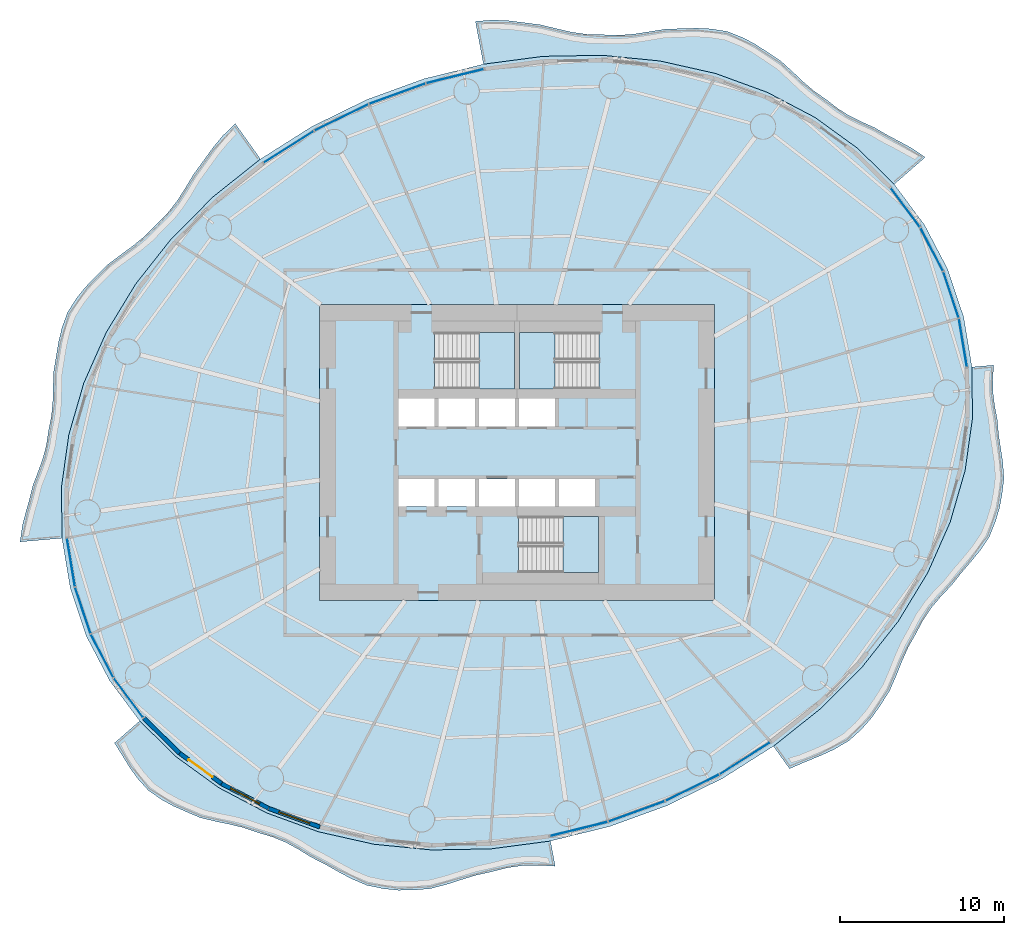
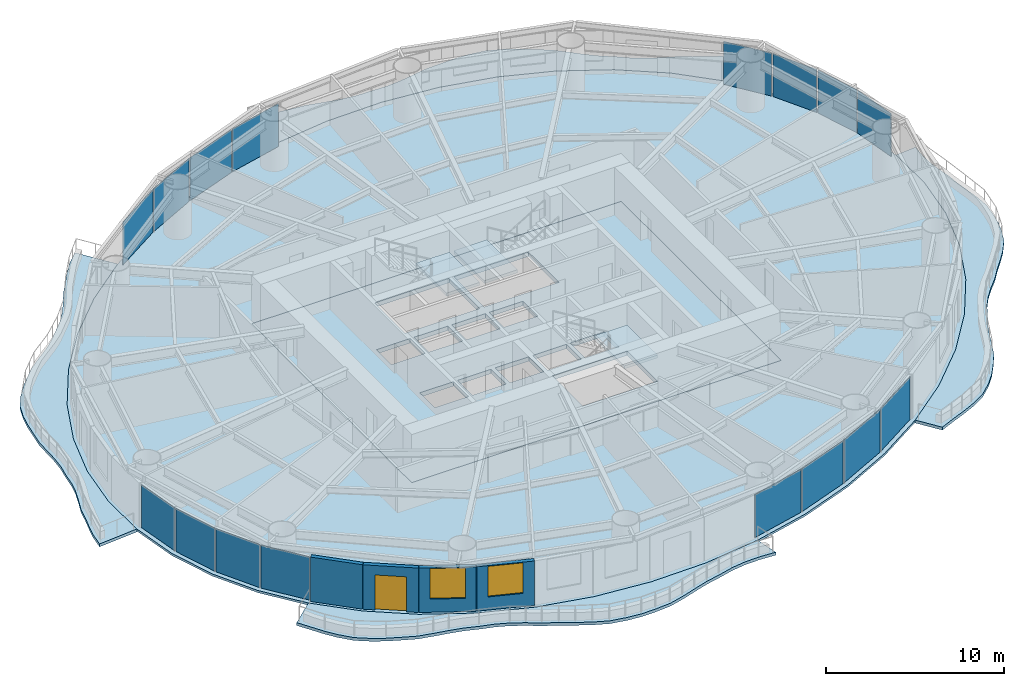
# One storey, part 7 of 14: 16 plates, 9 slabs, 4 walls, 2 windows, 1 door, 3 openings, 19 elements without a shape of their own.
"""IFC4 building model written with IfcOpenShell, lengths in metres."""

from ifc_helpers import new_model, si_unit, direction, frame, frame_2d, origin, origin_2d, place, context, subcontext, project, spatial, polyline, rectangle, outline, extrude, material, layer, layer_set, type_object, element, fill, aggregate, save


model = new_model("IFC4")

# Units and contexts
model_context = context("Model", 3, precision=1e-05, world=origin(), true_north=direction((0.0, 1.0)))
body_context = subcontext(model_context, "Body", "Model", "MODEL_VIEW")
ifc_project = project(units=[si_unit("LENGTHUNIT", "METRE"), si_unit("AREAUNIT", "SQUARE_METRE"), si_unit("VOLUMEUNIT", "CUBIC_METRE"), si_unit("PLANEANGLEUNIT", "RADIAN"), si_unit("MASSUNIT", "GRAM", prefix="KILO")], contexts=[model_context])

# Site, building, storey
site_placement = place(None, origin())
site = spatial("IfcSite", under=ifc_project, at=site_placement, CompositionType="ELEMENT")
building_placement = place(site_placement, origin())
building = spatial("IfcBuilding", under=site, at=building_placement, Name="Vermilion Reach Broadcast Tower", CompositionType="ELEMENT")
storey_placement = place(building_placement, frame((0.0, 0.0, 124.60009765625)))
storey = spatial("IfcBuildingStorey", under=building, at=storey_placement, Name="L29", CompositionType="ELEMENT", Elevation=124.60009765625)

# Slabs
ifc_material_1 = material(Name="Concrete C40/50", Category="concrete")
ifc_layer_1 = layer(ifc_material_1, 0.199951171875)
ifc_layer_set_1 = layer_set([ifc_layer_1], Name="Balcony slab 200")
slab_type_1 = type_object("IfcSlabType", Name="Balcony slab 200", PredefinedType="FLOOR", material=ifc_layer_set_1)
placement_1 = place(storey_placement, frame((0.0, 0.0, -0.2001953125)))
element("IfcSlab", 1, at=placement_1, inside=storey, type_object=slab_type_1, Name="Balcony slab L29 group 1", PredefinedType="FLOOR", context=body_context, shape_type="SweptSolid", body=[
    extrude(outline(polyline([(16.93603515625, 16.314208984375), (14.7041015625, 18.504150390625), (12.1181640625, 20.377685546875), (9.221923828125, 21.90234375), (6.0654296875, 23.05224609375), (2.702392578125, 23.807861328125), (-0.809326171875, 24.156005859375), (-4.41015625, 24.091064453125), (-8.0380859375, 23.613525390625), (-8.528076171875, 26.221923828125), (-7.468994140625, 26.30126953125), (-6.541015625, 26.26171875), (-5.603271484375, 26.147216796875), (-4.55322265625, 26.009033203125), (-3.539794921875, 25.76171875), (-2.6357421875, 25.5576171875), (-1.73291015625, 25.431884765625), (-0.7587890625, 25.40771484375), (0.197998046875, 25.375732421875), (1.091552734375, 25.443603515625), (1.99169921875, 25.58154296875), (3.014892578125, 25.744873046875), (4.02880859375, 25.780029296875), (4.91748046875, 25.80517578125), (5.79150390625, 25.764404296875), (6.812255859375, 25.599609375), (7.750244140625, 25.22314453125), (8.497802734375, 24.82177734375), (9.220703125, 24.352294921875), (10.058837890625, 23.791259765625), (10.79052734375, 23.125244140625), (11.40673828125, 22.539306640625), (12.044677734375, 21.99462890625), (12.796142578125, 21.46923828125), (13.498291015625, 20.922119140625), (14.176025390625, 20.49658203125), (14.899169921875, 20.134033203125), (15.7568359375, 19.75048828125), (16.56005859375, 19.279296875), (17.284423828125, 18.9013671875), (17.997314453125, 18.51171875), (18.81884765625, 17.957275390625), (16.93603515625, 16.314208984375)])), origin(), (0.0, 0.0, 1.0), 0.2001953125),
])
element("IfcSlab", 2, at=placement_1, inside=storey, type_object=slab_type_1, Name="Balcony slab L29 group 2", PredefinedType="FLOOR", context=body_context, shape_type="SweptSolid", body=[
    extrude(outline(polyline([(-21.595458984375, 17.84765625), (-24.455810546875, 15.565673828125), (-27.000244140625, 13.01708984375), (-29.185546875, 10.245849609375), (-30.97412109375, 7.299560546875), (-32.335205078125, 4.22802734375), (-33.245849609375, 1.08447265625), (-33.690185546875, -2.077880859375), (-33.660888671875, -5.20458984375), (-36.213623046875, -5.426513671875), (-36.070068359375, -4.445556640625), (-35.87255859375, -3.661865234375), (-35.646728515625, -2.8779296875), (-35.42041015625, -1.965087890625), (-35.079833984375, -1.076416015625), (-34.80908203125, -0.308349609375), (-34.609130859375, 0.4697265625), (-34.478271484375, 1.34814453125), (-34.301513671875, 2.241943359375), (-34.223876953125, 3.0712890625), (-34.20166015625, 3.916748046875), (-34.172119140625, 4.897705078125), (-34.007568359375, 5.887939453125), (-33.865966796875, 6.743896484375), (-33.66748046875, 7.574462890625), (-33.324462890625, 8.527099609375), (-32.770263671875, 9.397705078125), (-32.2236328125, 10.07421875), (-31.610595703125, 10.7099609375), (-30.888427734375, 11.427734375), (-30.053466796875, 12.053955078125), (-29.31396484375, 12.594482421875), (-28.6201171875, 13.1708984375), (-27.947265625, 13.85791015625), (-27.2578125, 14.54638671875), (-26.694580078125, 15.256591796875), (-26.194580078125, 16.029541015625), (-25.66455078125, 16.9169921875), (-25.042724609375, 17.76806640625), (-24.4873046875, 18.53857421875), (-23.89306640625, 19.2607421875), (-23.128173828125, 20.001220703125), (-21.595458984375, 17.84765625)])), origin(), (0.0, 0.0, 1.0), 0.2001953125),
])
element("IfcSlab", 3, at=placement_1, inside=storey, type_object=slab_type_1, Name="Balcony slab L29 group 3", PredefinedType="FLOOR", context=body_context, shape_type="SweptSolid", body=[
    extrude(outline(polyline([(-28.93603515625, -16.314208984375), (-26.7041015625, -18.504150390625), (-24.1181640625, -20.377685546875), (-21.221923828125, -21.90234375), (-18.0654296875, -23.05224609375), (-14.702392578125, -23.807861328125), (-11.190673828125, -24.156005859375), (-7.58984375, -24.091064453125), (-3.9619140625, -23.613525390625), (-3.673583984375, -25.14892578125), (-4.69091796875, -25.0859375), (-5.611328125, -25.10302734375), (-6.517578125, -25.227294921875), (-7.487060546875, -25.46826171875), (-8.46142578125, -25.6845703125), (-9.357177734375, -25.9560546875), (-10.252197265625, -26.245361328125), (-11.285888671875, -26.513427734375), (-12.319091796875, -26.5966796875), (-13.206787109375, -26.607421875), (-14.08447265625, -26.517822265625), (-15.1064453125, -26.313232421875), (-16.058349609375, -25.911865234375), (-16.8466796875, -25.489990234375), (-17.630126953125, -25.0458984375), (-18.51708984375, -24.59326171875), (-19.33642578125, -24.087646484375), (-20.083740234375, -23.684814453125), (-20.861083984375, -23.364990234375), (-21.75341796875, -23.102294921875), (-22.62060546875, -22.802734375), (-23.43896484375, -22.6005859375), (-24.27490234375, -22.431640625), (-25.2490234375, -22.198486328125), (-26.147216796875, -21.81787109375), (-26.8935546875, -21.4873046875), (-27.59912109375, -21.100341796875), (-28.4169921875, -20.53173828125), (-29.072265625, -19.801513671875), (-29.535400390625, -19.1572265625), (-29.958251953125, -18.47216796875), (-30.468505859375, -17.65185546875), (-28.93603515625, -16.314208984375)])), origin(), (0.0, 0.0, 1.0), 0.2001953125),
])
element("IfcSlab", 4, at=placement_1, inside=storey, type_object=slab_type_1, Name="Balcony slab L29 group 4", PredefinedType="FLOOR", context=body_context, shape_type="SweptSolid", body=[
    extrude(outline(polyline([(9.595458984375, -17.84765625), (12.455810546875, -15.565673828125), (15.000244140625, -13.01708984375), (17.185546875, -10.245849609375), (18.97412109375, -7.299560546875), (20.335205078125, -4.22802734375), (21.245849609375, -1.08447265625), (21.690185546875, 2.077880859375), (21.660888671875, 5.20458984375), (22.9853515625, 5.31982421875), (22.923828125, 4.434814453125), (22.94140625, 3.653076171875), (23.037841796875, 2.872314453125), (23.203857421875, 1.979248046875), (23.28759765625, 1.047119140625), (23.4140625, 0.223388671875), (23.53857421875, -0.600341796875), (23.609130859375, -1.590087890625), (23.482666015625, -2.584228515625), (23.329345703125, -3.3916015625), (23.09228515625, -4.1748046875), (22.724365234375, -5.09912109375), (22.154052734375, -5.952880859375), (21.603271484375, -6.62744140625), (21.030517578125, -7.292236328125), (20.424072265625, -8.056884765625), (19.74560546875, -8.77587890625), (19.184326171875, -9.443115234375), (18.701416015625, -10.157958984375), (18.2607421875, -10.9921875), (17.782958984375, -11.8408203125), (17.41162109375, -12.67138671875), (17.071044921875, -13.526611328125), (16.65185546875, -14.48388671875), (16.08740234375, -15.374755859375), (15.561767578125, -16.122314453125), (14.967041015625, -16.80078125), (14.193115234375, -17.5078125), (13.26953125, -18.05224609375), (12.411376953125, -18.443603515625), (11.526611328125, -18.801513671875), (10.56982421875, -19.216796875), (9.595458984375, -17.84765625)])), origin(), (0.0, 0.0, 1.0), 0.2001953125),
])
ifc_material_2 = material(Name="Concrete C40", Category="concrete")
ifc_layer_2 = layer(ifc_material_2, 0.300048828125)
ifc_layer_set_2 = layer_set([ifc_layer_2], Name="Core floor slab 300 mm Concrete C40")
slab_type_2 = type_object("IfcSlabType", Name="Core floor slab 300 mm Concrete C40", PredefinedType="FLOOR", material=ifc_layer_set_2)
slab_5_placement = place(storey_placement, frame((0.0, 0.0, -0.300048828125)))
element("IfcSlab", 5, at=slab_5_placement, inside=storey, type_object=slab_type_2, Name="L29 core floor", PredefinedType="FLOOR", context=body_context, shape_type="SweptSolid", body=[
    extrude(outline(polyline([(-18.0, -9.0), (6.0, -9.0), (6.0, 9.0), (-18.0, 9.0), (-18.0, -9.0)]), holes=[polyline([(-13.199951171875, 1.60009765625), (-11.00830078125, 1.60009765625), (-11.00830078125, 3.280029296875), (-13.199951171875, 3.280029296875), (-13.199951171875, 1.60009765625)]), polyline([(-10.75830078125, 1.60009765625), (-8.566650390625, 1.60009765625), (-8.566650390625, 3.280029296875), (-10.75830078125, 3.280029296875), (-10.75830078125, 1.60009765625)]), polyline([(-8.316650390625, 1.60009765625), (-6.125, 1.60009765625), (-6.125, 3.280029296875), (-8.316650390625, 3.280029296875), (-8.316650390625, 1.60009765625)]), polyline([(-5.875, 1.60009765625), (-3.683349609375, 1.60009765625), (-3.683349609375, 3.280029296875), (-5.875, 3.280029296875), (-5.875, 1.60009765625)]), polyline([(-13.199951171875, -3.280029296875), (-11.00830078125, -3.280029296875), (-11.00830078125, -1.60009765625), (-13.199951171875, -1.60009765625), (-13.199951171875, -3.280029296875)]), polyline([(-10.75830078125, -3.280029296875), (-8.566650390625, -3.280029296875), (-8.566650390625, -1.60009765625), (-10.75830078125, -1.60009765625), (-10.75830078125, -3.280029296875)]), polyline([(-8.316650390625, -3.280029296875), (-6.125, -3.280029296875), (-6.125, -1.60009765625), (-8.316650390625, -1.60009765625), (-8.316650390625, -3.280029296875)]), polyline([(-5.875, -3.280029296875), (-3.683349609375, -3.280029296875), (-3.683349609375, -1.60009765625), (-5.875, -1.60009765625), (-5.875, -3.280029296875)]), polyline([(-3.433349609375, -3.280029296875), (-1.24169921875, -3.280029296875), (-1.24169921875, -1.60009765625), (-3.433349609375, -1.60009765625), (-3.433349609375, -3.280029296875)]), polyline([(-10.999267578125, 3.8798828125), (-6.14990234375, 3.8798828125), (-6.14990234375, 7.300048828125), (-10.999267578125, 7.300048828125), (-10.999267578125, 3.8798828125)]), polyline([(-1.000732421875, 7.300048828125), (-5.85009765625, 7.300048828125), (-5.85009765625, 3.8798828125), (-1.000732421875, 3.8798828125), (-1.000732421875, 7.300048828125)]), polyline([(-5.8994140625, -7.300048828125), (-1.050048828125, -7.300048828125), (-1.050048828125, -3.8798828125), (-5.8994140625, -3.8798828125), (-5.8994140625, -7.300048828125)])]), origin(), (0.0, 0.0, 1.0), 0.300048828125),
])

# Stair, slab
ifc_material_3 = material(Name="Concrete C40", Category="concrete")
stair_type = type_object("IfcStairType", Name="Exit stair RC 22 risers 164 mm", PredefinedType="HALF_TURN_STAIR", material=ifc_material_3)
placement_2 = place(storey_placement, origin())
stair_1 = element("IfcStair", 6, at=placement_2, inside=storey, type_object=stair_type, Name="L29 Exit stair ST1", PredefinedType="HALF_TURN_STAIR")
ifc_material_4 = material(Name="Concrete C40", Category="concrete")
ifc_layer_3 = layer(ifc_material_4, 0.199951171875)
ifc_layer_set_3 = layer_set([ifc_layer_3], Name="Exit stair landing Concrete C40")
slab_type_3 = type_object("IfcSlabType", Name="Exit stair landing Concrete C40", PredefinedType="LANDING", material=ifc_layer_set_3)
placement_3 = place(storey_placement, frame((0.0, 0.0, 1.599853515625)))
slab_6 = element("IfcSlab", 7, at=placement_3, type_object=slab_type_3, Name="ST1 landing 1", PredefinedType="LANDING", context=body_context, shape_type="SweptSolid", body=[
    extrude(outline(polyline([(-8.300048828125, 3.8798828125), (-6.14990234375, 3.8798828125), (-6.14990234375, 7.300048828125), (-8.300048828125, 7.300048828125), (-8.300048828125, 3.8798828125)])), origin(), (0.0, 0.0, 1.0), 0.199951171875),
])
aggregate(stair_1, [slab_6])

stair_2 = element("IfcStair", 8, at=placement_2, inside=storey, type_object=stair_type, Name="L29 Exit stair ST2", PredefinedType="HALF_TURN_STAIR")
slab_7 = element("IfcSlab", 9, at=placement_3, type_object=slab_type_3, Name="ST2 landing 1", PredefinedType="LANDING", context=body_context, shape_type="SweptSolid", body=[
    extrude(outline(polyline([(-3.699951171875, 7.300048828125), (-5.85009765625, 7.300048828125), (-5.85009765625, 3.8798828125), (-3.699951171875, 3.8798828125), (-3.699951171875, 7.300048828125)])), origin(), (0.0, 0.0, 1.0), 0.199951171875),
])
aggregate(stair_2, [slab_7])

stair_3 = element("IfcStair", 10, at=placement_2, inside=storey, type_object=stair_type, Name="L29 Exit stair ST3", PredefinedType="HALF_TURN_STAIR")
slab_8 = element("IfcSlab", 11, at=placement_3, type_object=slab_type_3, Name="ST3 landing 1", PredefinedType="LANDING", context=body_context, shape_type="SweptSolid", body=[
    extrude(outline(polyline([(-3.199951171875, -7.300048828125), (-1.050048828125, -7.300048828125), (-1.050048828125, -3.8798828125), (-3.199951171875, -3.8798828125), (-3.199951171875, -7.300048828125)])), origin(), (0.0, 0.0, 1.0), 0.199951171875),
])
aggregate(stair_3, [slab_8])

# Slab
ifc_material_5 = material(Name="Concrete C40", Category="concrete")
ifc_layer_4 = layer(ifc_material_5, 0.14990234375)
ifc_layer_set_4 = layer_set([ifc_layer_4], Name="Floor slab Concrete C40 composite 150")
slab_type_4 = type_object("IfcSlabType", Name="Floor slab Concrete C40 composite 150", PredefinedType="FLOOR", material=ifc_layer_set_4)
slab_9_placement = place(storey_placement, frame((0.0, 0.0, -0.150146484375)))
element("IfcSlab", 12, at=slab_9_placement, inside=storey, type_object=slab_type_4, Name="Floor slab L29", PredefinedType="FLOOR", context=body_context, shape_type="SweptSolid", body=[
    extrude(outline(polyline([(20.19091796875, 11.138916015625), (18.775390625, 13.844970703125), (16.93603515625, 16.314208984375), (14.7041015625, 18.504150390625), (12.1181640625, 20.377685546875), (9.221923828125, 21.90234375), (6.0654296875, 23.05224609375), (2.702392578125, 23.807861328125), (-0.809326171875, 24.156005859375), (-4.41015625, 24.091064453125), (-8.0380859375, 23.613525390625), (-11.631103515625, 22.732177734375), (-15.127685546875, 21.4619140625), (-18.46826171875, 19.824462890625), (-21.595458984375, 17.84765625), (-24.455810546875, 15.565673828125), (-27.000244140625, 13.01708984375), (-29.185546875, 10.245849609375), (-30.97412109375, 7.299560546875), (-32.335205078125, 4.22802734375), (-33.245849609375, 1.08447265625), (-33.690185546875, -2.077880859375), (-33.660888671875, -5.20458984375), (-33.158203125, -8.2421875), (-32.19091796875, -11.138916015625), (-30.775390625, -13.844970703125), (-28.93603515625, -16.314208984375), (-26.7041015625, -18.504150390625), (-24.1181640625, -20.377685546875), (-21.221923828125, -21.90234375), (-18.0654296875, -23.05224609375), (-14.702392578125, -23.807861328125), (-11.190673828125, -24.156005859375), (-7.58984375, -24.091064453125), (-3.9619140625, -23.613525390625), (-0.368896484375, -22.732177734375), (3.127685546875, -21.4619140625), (6.46826171875, -19.824462890625), (9.595458984375, -17.84765625), (12.455810546875, -15.565673828125), (15.000244140625, -13.01708984375), (17.185546875, -10.245849609375), (18.97412109375, -7.299560546875), (20.335205078125, -4.22802734375), (21.245849609375, -1.08447265625), (21.690185546875, 2.077880859375), (21.660888671875, 5.20458984375), (21.158203125, 8.2421875), (20.19091796875, 11.138916015625)]), holes=[polyline([(-18.0, -9.0), (6.0, -9.0), (6.0, 9.0), (-18.0, 9.0), (-18.0, -9.0)])]), origin(), (0.0, 0.0, 1.0), 0.150146484375),
])

# Curtain wall, plate
ifc_material_6 = material(Name="Low-e laminated clear glass in aluminium frame", Category="aluminium")
curtain_wall_type = type_object("IfcCurtainWallType", Name="Slot curtain wall", PredefinedType="NOTDEFINED", material=ifc_material_6)
curtain_wall_1 = element("IfcCurtainWall", 13, at=placement_2, inside=storey, type_object=curtain_wall_type, Name="Slot curtain wall L29 46", PredefinedType="NOTDEFINED")
ifc_material_7 = material(Name="Low-e laminated clear glass", Category="glass")
ifc_layer_5 = layer(ifc_material_7, 0.028076171875)
ifc_layer_set_5 = layer_set([ifc_layer_5], Name="Slot glass panel")
plate_type = type_object("IfcPlateType", Name="Slot glass panel", PredefinedType="CURTAIN_PANEL", material=ifc_layer_set_5)
plate_1_placement = place(storey_placement, frame((21.114501953125, 6.674560546875, 0.0), z_axis=(0.0, 0.0, 1.0), x_axis=(-0.163248286356, 0.986585017625, 0.0)))
plate_1 = element("IfcPlate", 14, at=plate_1_placement, type_object=plate_type, Name="Slot glass panel L29 46", PredefinedType="CURTAIN_PANEL", context=body_context, shape_type="SweptSolid", body=[
    extrude(rectangle(XDim=2.951904296875, YDim=0.028076171875, at=origin_2d()), origin(), (0.0, 0.0, 1.0), 2.949951171875),
])
aggregate(curtain_wall_1, [plate_1])

curtain_wall_2 = element("IfcCurtainWall", 15, at=placement_2, inside=storey, type_object=curtain_wall_type, Name="Slot curtain wall L29 47", PredefinedType="NOTDEFINED")
plate_2_placement = place(storey_placement, frame((20.390869140625, 9.595947265625, 0.0), z_axis=(0.0, 0.0, 1.0), x_axis=(-0.31675453598, 0.948507545534, 0.0)))
plate_2 = element("IfcPlate", 16, at=plate_2_placement, type_object=plate_type, Name="Slot glass panel L29 47", PredefinedType="CURTAIN_PANEL", context=body_context, shape_type="SweptSolid", body=[
    extrude(rectangle(XDim=2.92626953125, YDim=0.028076171875, at=origin_2d()), origin(), (0.0, 0.0, 1.0), 2.949951171875),
])
aggregate(curtain_wall_2, [plate_2])

curtain_wall_3 = element("IfcCurtainWall", 17, at=placement_2, inside=storey, type_object=curtain_wall_type, Name="Slot curtain wall L29 00", PredefinedType="NOTDEFINED")
plate_3_placement = place(storey_placement, frame((19.218017578125, 12.353515625, 0.0), z_axis=(0.0, 0.0, 1.0), x_axis=(-0.463500644878, 0.886096581755, 0.0)))
plate_3 = element("IfcPlate", 18, at=plate_3_placement, type_object=plate_type, Name="Slot glass panel L29 00", PredefinedType="CURTAIN_PANEL", context=body_context, shape_type="SweptSolid", body=[
    extrude(rectangle(XDim=2.92626953125, YDim=0.028076171875, at=origin_2d()), origin(), (0.0, 0.0, 1.0), 2.949951171875),
])
aggregate(curtain_wall_3, [plate_3])

curtain_wall_4 = element("IfcCurtainWall", 19, at=placement_2, inside=storey, type_object=curtain_wall_type, Name="Slot curtain wall L29 01", PredefinedType="NOTDEFINED")
plate_4_placement = place(storey_placement, frame((17.61572265625, 14.901123046875, 0.0), z_axis=(0.0, 0.0, 1.0), x_axis=(-0.597408528095, 0.80193706147, 0.0)))
plate_4 = element("IfcPlate", 20, at=plate_4_placement, type_object=plate_type, Name="Slot glass panel L29 01", PredefinedType="CURTAIN_PANEL", context=body_context, shape_type="SweptSolid", body=[
    extrude(rectangle(XDim=2.951904296875, YDim=0.028076171875, at=origin_2d()), origin(), (0.0, 0.0, 1.0), 2.949951171875),
])
aggregate(curtain_wall_4, [plate_4])

curtain_wall_5 = element("IfcCurtainWall", 21, at=placement_2, inside=storey, type_object=curtain_wall_type, Name="Slot curtain wall L29 10", PredefinedType="NOTDEFINED")
plate_5_placement = place(storey_placement, frame((-9.76318359375, 22.882080078125, 0.0), z_axis=(0.0, 0.0, 1.0), x_axis=(-0.971207265486, -0.238236117048, 0.0)))
plate_5 = element("IfcPlate", 22, at=plate_5_placement, type_object=plate_type, Name="Slot glass panel L29 10", PredefinedType="CURTAIN_PANEL", context=body_context, shape_type="SweptSolid", body=[
    extrude(rectangle(XDim=3.5869140625, YDim=0.028076171875, at=origin_2d()), origin(), (0.0, 0.0, 1.0), 2.949951171875),
])
aggregate(curtain_wall_5, [plate_5])

curtain_wall_6 = element("IfcCurtainWall", 23, at=placement_2, inside=storey, type_object=curtain_wall_type, Name="Slot curtain wall L29 11", PredefinedType="NOTDEFINED")
plate_6_placement = place(storey_placement, frame((-13.277099609375, 21.8154296875, 0.0), z_axis=(0.0, 0.0, 1.0), x_axis=(-0.93989731786, -0.341457218226, 0.0)))
plate_6 = element("IfcPlate", 24, at=plate_6_placement, type_object=plate_type, Name="Slot glass panel L29 11", PredefinedType="CURTAIN_PANEL", context=body_context, shape_type="SweptSolid", body=[
    extrude(rectangle(XDim=3.608154296875, YDim=0.028076171875, at=origin_2d()), origin(), (0.0, 0.0, 1.0), 2.949951171875),
])
aggregate(curtain_wall_6, [plate_6])

curtain_wall_7 = element("IfcCurtainWall", 25, at=placement_2, inside=storey, type_object=curtain_wall_type, Name="Slot curtain wall L29 12", PredefinedType="NOTDEFINED")
plate_7_placement = place(storey_placement, frame((-16.666015625, 20.374267578125, 0.0), z_axis=(0.0, 0.0, 1.0), x_axis=(-0.897917575028, -0.440163638272, 0.0)))
plate_7 = element("IfcPlate", 26, at=plate_7_placement, type_object=plate_type, Name="Slot glass panel L29 12", PredefinedType="CURTAIN_PANEL", context=body_context, shape_type="SweptSolid", body=[
    extrude(rectangle(XDim=3.608154296875, YDim=0.028076171875, at=origin_2d()), origin(), (0.0, 0.0, 1.0), 2.949951171875),
])
aggregate(curtain_wall_7, [plate_7])

curtain_wall_8 = element("IfcCurtainWall", 27, at=placement_2, inside=storey, type_object=curtain_wall_type, Name="Slot curtain wall L29 13", PredefinedType="NOTDEFINED")
plate_8_placement = place(storey_placement, frame((-19.871826171875, 18.582763671875, 0.0), z_axis=(0.0, 0.0, 1.0), x_axis=(-0.845284723773, -0.534316138402, 0.0)))
plate_8 = element("IfcPlate", 28, at=plate_8_placement, type_object=plate_type, Name="Slot glass panel L29 13", PredefinedType="CURTAIN_PANEL", context=body_context, shape_type="SweptSolid", body=[
    extrude(rectangle(XDim=3.5869140625, YDim=0.028076171875, at=origin_2d()), origin(), (0.0, 0.0, 1.0), 2.949951171875),
])
aggregate(curtain_wall_8, [plate_8])

curtain_wall_9 = element("IfcCurtainWall", 29, at=placement_2, inside=storey, type_object=curtain_wall_type, Name="Slot curtain wall L29 22", PredefinedType="NOTDEFINED")
plate_9_placement = place(storey_placement, frame((-33.114501953125, -6.674560546875, 0.0), z_axis=(0.0, 0.0, 1.0), x_axis=(0.163248286356, -0.986585017625, 0.0)))
plate_9 = element("IfcPlate", 30, at=plate_9_placement, type_object=plate_type, Name="Slot glass panel L29 22", PredefinedType="CURTAIN_PANEL", context=body_context, shape_type="SweptSolid", body=[
    extrude(rectangle(XDim=2.951904296875, YDim=0.028076171875, at=origin_2d()), origin(), (0.0, 0.0, 1.0), 2.949951171875),
])
aggregate(curtain_wall_9, [plate_9])

curtain_wall_10 = element("IfcCurtainWall", 31, at=placement_2, inside=storey, type_object=curtain_wall_type, Name="Slot curtain wall L29 23", PredefinedType="NOTDEFINED")
plate_10_placement = place(storey_placement, frame((-32.390869140625, -9.595947265625, 0.0), z_axis=(0.0, 0.0, 1.0), x_axis=(0.31675453598, -0.948507545534, 0.0)))
plate_10 = element("IfcPlate", 32, at=plate_10_placement, type_object=plate_type, Name="Slot glass panel L29 23", PredefinedType="CURTAIN_PANEL", context=body_context, shape_type="SweptSolid", body=[
    extrude(rectangle(XDim=2.92626953125, YDim=0.028076171875, at=origin_2d()), origin(), (0.0, 0.0, 1.0), 2.949951171875),
])
aggregate(curtain_wall_10, [plate_10])

curtain_wall_11 = element("IfcCurtainWall", 33, at=placement_2, inside=storey, type_object=curtain_wall_type, Name="Slot curtain wall L29 24", PredefinedType="NOTDEFINED")
plate_11_placement = place(storey_placement, frame((-31.218017578125, -12.353515625, 0.0), z_axis=(0.0, 0.0, 1.0), x_axis=(0.463500644878, -0.886096581755, 0.0)))
plate_11 = element("IfcPlate", 34, at=plate_11_placement, type_object=plate_type, Name="Slot glass panel L29 24", PredefinedType="CURTAIN_PANEL", context=body_context, shape_type="SweptSolid", body=[
    extrude(rectangle(XDim=2.92626953125, YDim=0.028076171875, at=origin_2d()), origin(), (0.0, 0.0, 1.0), 2.949951171875),
])
aggregate(curtain_wall_11, [plate_11])

curtain_wall_12 = element("IfcCurtainWall", 35, at=placement_2, inside=storey, type_object=curtain_wall_type, Name="Slot curtain wall L29 25", PredefinedType="NOTDEFINED")
plate_12_placement = place(storey_placement, frame((-29.61572265625, -14.901123046875, 0.0), z_axis=(0.0, 0.0, 1.0), x_axis=(0.597408528095, -0.80193706147, 0.0)))
plate_12 = element("IfcPlate", 36, at=plate_12_placement, type_object=plate_type, Name="Slot glass panel L29 25", PredefinedType="CURTAIN_PANEL", context=body_context, shape_type="SweptSolid", body=[
    extrude(rectangle(XDim=2.951904296875, YDim=0.028076171875, at=origin_2d()), origin(), (0.0, 0.0, 1.0), 2.949951171875),
])
aggregate(curtain_wall_12, [plate_12])

curtain_wall_13 = element("IfcCurtainWall", 37, at=placement_2, inside=storey, type_object=curtain_wall_type, Name="Slot curtain wall L29 34", PredefinedType="NOTDEFINED")
plate_13_placement = place(storey_placement, frame((-2.23681640625, -22.882080078125, 0.0), z_axis=(0.0, 0.0, 1.0), x_axis=(0.971207265486, 0.238236117048, 0.0)))
plate_13 = element("IfcPlate", 38, at=plate_13_placement, type_object=plate_type, Name="Slot glass panel L29 34", PredefinedType="CURTAIN_PANEL", context=body_context, shape_type="SweptSolid", body=[
    extrude(rectangle(XDim=3.5869140625, YDim=0.028076171875, at=origin_2d()), origin(), (0.0, 0.0, 1.0), 2.949951171875),
])
aggregate(curtain_wall_13, [plate_13])

curtain_wall_14 = element("IfcCurtainWall", 39, at=placement_2, inside=storey, type_object=curtain_wall_type, Name="Slot curtain wall L29 35", PredefinedType="NOTDEFINED")
plate_14_placement = place(storey_placement, frame((1.277099609375, -21.8154296875, 0.0), z_axis=(0.0, 0.0, 1.0), x_axis=(0.93989731786, 0.341457218226, 0.0)))
plate_14 = element("IfcPlate", 40, at=plate_14_placement, type_object=plate_type, Name="Slot glass panel L29 35", PredefinedType="CURTAIN_PANEL", context=body_context, shape_type="SweptSolid", body=[
    extrude(rectangle(XDim=3.608154296875, YDim=0.028076171875, at=origin_2d()), origin(), (0.0, 0.0, 1.0), 2.949951171875),
])
aggregate(curtain_wall_14, [plate_14])

curtain_wall_15 = element("IfcCurtainWall", 41, at=placement_2, inside=storey, type_object=curtain_wall_type, Name="Slot curtain wall L29 36", PredefinedType="NOTDEFINED")
plate_15_placement = place(storey_placement, frame((4.666015625, -20.374267578125, 0.0), z_axis=(0.0, 0.0, 1.0), x_axis=(0.897917575028, 0.440163638272, 0.0)))
plate_15 = element("IfcPlate", 42, at=plate_15_placement, type_object=plate_type, Name="Slot glass panel L29 36", PredefinedType="CURTAIN_PANEL", context=body_context, shape_type="SweptSolid", body=[
    extrude(rectangle(XDim=3.608154296875, YDim=0.028076171875, at=origin_2d()), origin(), (0.0, 0.0, 1.0), 2.949951171875),
])
aggregate(curtain_wall_15, [plate_15])

curtain_wall_16 = element("IfcCurtainWall", 43, at=placement_2, inside=storey, type_object=curtain_wall_type, Name="Slot curtain wall L29 37", PredefinedType="NOTDEFINED")
plate_16_placement = place(storey_placement, frame((7.871826171875, -18.582763671875, 0.0), z_axis=(0.0, 0.0, 1.0), x_axis=(0.845284723773, 0.534316138402, 0.0)))
plate_16 = element("IfcPlate", 44, at=plate_16_placement, type_object=plate_type, Name="Slot glass panel L29 37", PredefinedType="CURTAIN_PANEL", context=body_context, shape_type="SweptSolid", body=[
    extrude(rectangle(XDim=3.5869140625, YDim=0.028076171875, at=origin_2d()), origin(), (0.0, 0.0, 1.0), 2.949951171875),
])
aggregate(curtain_wall_16, [plate_16])

# Wall
ifc_material_8 = material(Name="Terracotta rainscreen cladding", Category="masonry")
ifc_layer_6 = layer(ifc_material_8, 0.25)
ifc_layer_set_6 = layer_set([ifc_layer_6], Name="Terracotta rainscreen wall 250")
wall_type = type_object("IfcWallType", Name="Terracotta rainscreen wall 250", PredefinedType="SOLIDWALL", material=ifc_layer_set_6)
wall_1_placement = place(storey_placement, frame((-28.6708984375, -16.1552734375, 0.0), z_axis=(0.0, 0.0, 1.0), x_axis=(0.713759845589, -0.700390521656, 0.0)))
element("IfcWall", 45, at=wall_1_placement, inside=storey, type_object=wall_type, Name="External wall L29 26", PredefinedType="SOLIDWALL", context=body_context, shape_type="SweptSolid", body=[
    extrude(rectangle(XDim=3.01318359375, YDim=0.25, at=frame_2d((1.506591796875, 0.0))), origin(), (0.0, 0.0, 1.0), 3.0498046875),
])

# Wall, opening, door
wall_2_placement = place(storey_placement, frame((-26.5, -18.28271484375, 0.0), z_axis=(0.0, 0.0, 1.0), x_axis=(0.809860169176, -0.586622967828, 0.0)))
wall_2 = element("IfcWall", 46, at=wall_2_placement, inside=storey, type_object=wall_type, Name="External wall L29 27", PredefinedType="SOLIDWALL", context=body_context, shape_type="SweptSolid", body=[
    extrude(rectangle(XDim=3.12353515625, YDim=0.25, at=frame_2d((1.561767578125, 0.0))), origin(), (0.0, 0.0, 1.0), 3.0498046875),
])
opening_1_placement = place(wall_2_placement, frame((0.662109375, 0.0, 0.0)))
opening_1 = element("IfcOpeningElement", 47, at=opening_1_placement, cuts=wall_2, Name="Opening D70", PredefinedType="OPENING", context=body_context, shape_type="SweptSolid", body=[
    extrude(rectangle(XDim=1.800048828125, YDim=2.39990234375, at=frame_2d((0.89990234375, 1.199951171875))), frame((0.0, 0.135009765625, 0.0), z_axis=(0.0, -1.0, 0.0), x_axis=(1.0, 0.0, 0.0)), (0.0, 0.0, 1.0), 0.27001953125),
])
ifc_material_9 = material(Name="Low-e laminated clear glass in aluminium frame", Category="aluminium")
door_type = type_object("IfcDoorType", Name="Balcony sliding door 1800 x 2400", OperationType="DOUBLE_DOOR_SLIDING", PredefinedType="DOOR", material=ifc_material_9)
door_placement = place(opening_1_placement, origin())
door = element("IfcDoor", 48, at=door_placement, inside=storey, type_object=door_type, Name="Balcony door L29 run 07", OperationType="DOUBLE_DOOR_SLIDING", OverallHeight=2.39990234375, OverallWidth=1.800048828125, PredefinedType="DOOR", context=body_context, shape_type="SweptSolid", body=[
    extrude(rectangle(XDim=1.800048828125, YDim=2.39990234375, at=frame_2d((0.89990234375, 1.199951171875))), frame((0.0, 0.02490234375, 0.0), z_axis=(0.0, -1.0, 0.0), x_axis=(1.0, 0.0, 0.0)), (0.0, 0.0, 1.0), 0.050048828125),
])
fill(opening_1, door)

# Wall, opening, window
wall_3_placement = place(storey_placement, frame((-23.948486328125, -20.128662109375, 0.0), z_axis=(0.0, 0.0, 1.0), x_axis=(0.884863700739, -0.465850009245, 0.0)))
wall_3 = element("IfcWall", 49, at=wall_3_placement, inside=storey, type_object=wall_type, Name="External wall L29 28", PredefinedType="SOLIDWALL", context=body_context, shape_type="SweptSolid", body=[
    extrude(rectangle(XDim=3.205810546875, YDim=0.25, at=frame_2d((1.60302734375, 0.0))), origin(), (0.0, 0.0, 1.0), 3.0498046875),
])
opening_2_placement = place(wall_3_placement, frame((0.60302734375, 0.0, 0.89990234375)))
opening_2 = element("IfcOpeningElement", 50, at=opening_2_placement, cuts=wall_3, Name="Opening W03", PredefinedType="OPENING", context=body_context, shape_type="SweptSolid", body=[
    extrude(rectangle(XDim=2.0, YDim=2.10009765625, at=frame_2d((1.0, 1.050048828125))), frame((0.0, 0.135009765625, 0.0), z_axis=(0.0, -1.0, 0.0), x_axis=(1.0, 0.0, 0.0)), (0.0, 0.0, 1.0), 0.27001953125),
])
ifc_material_10 = material(Name="Low-e laminated clear glass in aluminium frame", Category="aluminium")
window_type = type_object("IfcWindowType", Name="Punched window 2000 x 2100 sill 900", PartitioningType="SINGLE_PANEL", PredefinedType="WINDOW", material=ifc_material_10)
window_1_placement = place(opening_2_placement, origin())
window_1 = element("IfcWindow", 51, at=window_1_placement, inside=storey, type_object=window_type, Name="Window L29 28", OverallHeight=2.10009765625, OverallWidth=2.0, PartitioningType="SINGLE_PANEL", PredefinedType="WINDOW", context=body_context, shape_type="SweptSolid", body=[
    extrude(rectangle(XDim=2.0, YDim=2.10009765625, at=frame_2d((1.0, 1.050048828125))), frame((0.0, 0.030029296875, 0.0), z_axis=(0.0, -1.0, 0.0), x_axis=(1.0, 0.0, 0.0)), (0.0, 0.0, 1.0), 0.06005859375),
])
fill(opening_2, window_1)

wall_4_placement = place(storey_placement, frame((-21.089111328125, -21.632080078125, 0.0), z_axis=(0.0, 0.0, 1.0), x_axis=(0.939579104827, -0.342331864969, 0.0)))
wall_4 = element("IfcWall", 52, at=wall_4_placement, inside=storey, type_object=wall_type, Name="External wall L29 29", PredefinedType="SOLIDWALL", context=body_context, shape_type="SweptSolid", body=[
    extrude(rectangle(XDim=3.295654296875, YDim=0.25, at=frame_2d((1.64794921875, 0.0))), origin(), (0.0, 0.0, 1.0), 3.0498046875),
])
opening_3_placement = place(wall_4_placement, frame((0.647705078125, 0.0, 0.89990234375)))
opening_3 = element("IfcOpeningElement", 53, at=opening_3_placement, cuts=wall_4, Name="Opening W03", PredefinedType="OPENING", context=body_context, shape_type="SweptSolid", body=[
    extrude(rectangle(XDim=2.0, YDim=2.10009765625, at=frame_2d((1.0, 1.050048828125))), frame((0.0, 0.135009765625, 0.0), z_axis=(0.0, -1.0, 0.0), x_axis=(1.0, 0.0, 0.0)), (0.0, 0.0, 1.0), 0.27001953125),
])
window_2_placement = place(opening_3_placement, origin())
window_2 = element("IfcWindow", 54, at=window_2_placement, inside=storey, type_object=window_type, Name="Window L29 29", OverallHeight=2.10009765625, OverallWidth=2.0, PartitioningType="SINGLE_PANEL", PredefinedType="WINDOW", context=body_context, shape_type="SweptSolid", body=[
    extrude(rectangle(XDim=2.0, YDim=2.10009765625, at=frame_2d((1.0, 1.050048828125))), frame((0.0, 0.030029296875, 0.0), z_axis=(0.0, -1.0, 0.0), x_axis=(1.0, 0.0, 0.0)), (0.0, 0.0, 1.0), 0.06005859375),
])
fill(opening_3, window_2)

save(model, "model.ifc")
